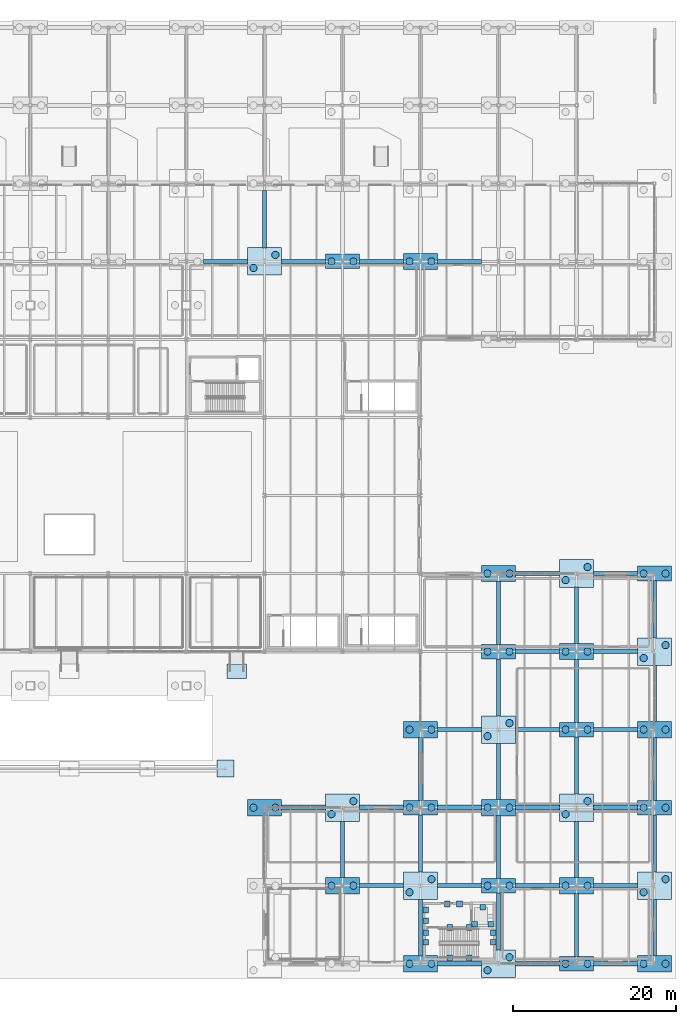
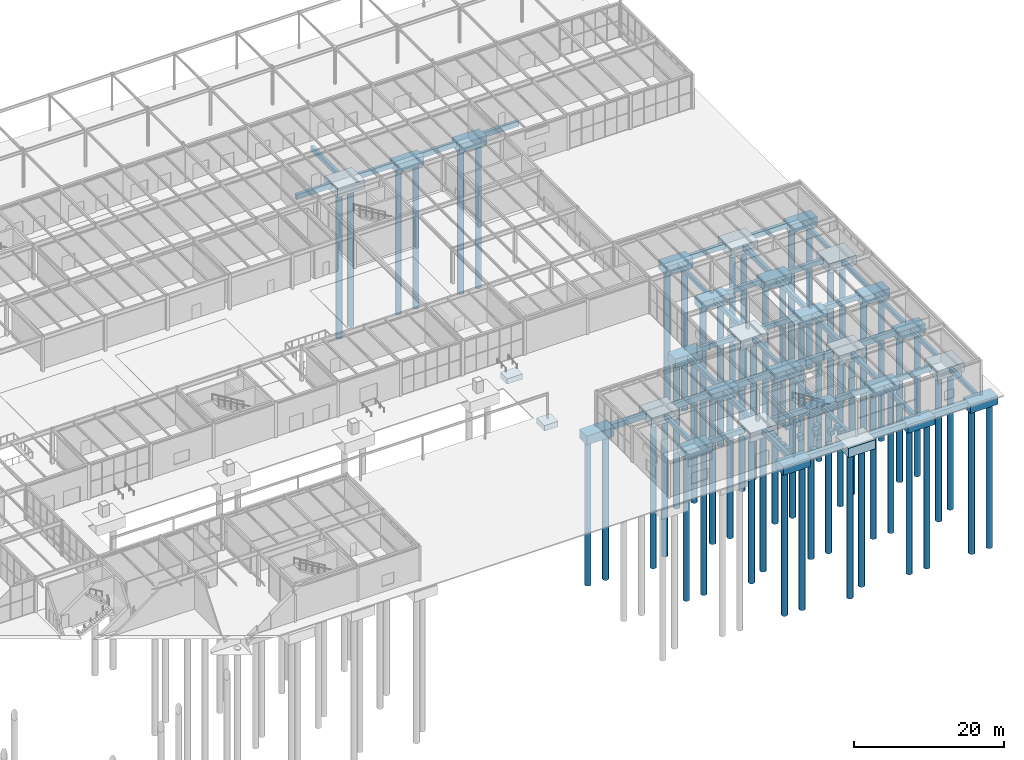
# One storey, part 4 of 142: 88 footings, 56 piles.
"""IFC4 building model written with IfcOpenShell, lengths in metres."""

from ifc_helpers import new_model, si_unit, direction, frame, origin, origin_2d, place, context, subcontext, project, spatial, rectangle, circle, extrude, material, material_profile, profile_set, type_object, element, save


model = new_model("IFC4")

# Units and contexts
model_context = context("Model", 3, precision=1e-05, world=origin(), true_north=direction((0.0, 1.0)))
body_context = subcontext(model_context, "Body", "Model", "MODEL_VIEW")
ifc_project = project(units=[si_unit("LENGTHUNIT", "METRE"), si_unit("AREAUNIT", "SQUARE_METRE"), si_unit("VOLUMEUNIT", "CUBIC_METRE"), si_unit("PLANEANGLEUNIT", "RADIAN"), si_unit("MASSUNIT", "GRAM", prefix="KILO")], contexts=[model_context])

# Site, building, storey
site_placement = place(None, origin())
site = spatial("IfcSite", under=ifc_project, at=site_placement, CompositionType="ELEMENT")
building_placement = place(site_placement, origin())
building = spatial("IfcBuilding", under=site, at=building_placement, Name="Coralgate Yard Interchange", CompositionType="ELEMENT")
storey_placement = place(building_placement, origin())
storey = spatial("IfcBuildingStorey", under=building, at=storey_placement, Name="L00", CompositionType="ELEMENT", Elevation=0.0)

# Footings
ifc_material_1 = material(Name="Concrete C40/50", Category="concrete")
ifc_material_profile_1 = material_profile(ifc_material_1, rectangle(XDim=0.60009765625, YDim=0.89990234375, at=origin_2d()), Name="RC 600x900")
ifc_profile_set_1 = profile_set([ifc_material_profile_1], Name="Concrete C40/50")
footing_type_1 = type_object("IfcFootingType", Name="FTG-GB-1", PredefinedType="FOOTING_BEAM", material=ifc_profile_set_1)
for number, where, z_axis, x_axis, name in (
    (1, (136.47998046875, 19.199951171875, -0.800048828125), (1.0, 0.0, 0.0), (0.0, 1.0, 0.0), "Ground tie-beam X 14-2"),
    (2, (146.080078125, 19.199951171875, -0.800048828125), (1.0, 0.0, 0.0), (0.0, 1.0, 0.0), "Ground tie-beam X 15-2"),
):
    element("IfcFooting", number, at=place(storey_placement, frame(where, z_axis=z_axis, x_axis=x_axis)), inside=storey, type_object=footing_type_1, Name=name, PredefinedType="FOOTING_BEAM", context=body_context, shape_type="SweptSolid", body=[
        extrude(rectangle(XDim=0.60009765625, YDim=0.89990234375, at=origin_2d()), origin(), (0.0, 0.0, 1.0), 5.43994140625),
    ])
for number, where, z_axis, x_axis, name in (
    (3, (155.679931640625, 0.0, -0.800048828125), (1.0, 0.0, 0.0), (0.0, 1.0, 0.0), "Ground tie-beam X 16-0"),
    (4, (155.679931640625, 19.199951171875, -0.800048828125), (1.0, 0.0, 0.0), (0.0, 1.0, 0.0), "Ground tie-beam X 16-2"),
):
    element("IfcFooting", number, at=place(storey_placement, frame(where, z_axis=z_axis, x_axis=x_axis)), inside=storey, type_object=footing_type_1, Name=name, PredefinedType="FOOTING_BEAM", context=body_context, shape_type="SweptSolid", body=[
        extrude(rectangle(XDim=0.60009765625, YDim=0.89990234375, at=origin_2d()), origin(), (0.0, 0.0, 1.0), 5.440185546875),
    ])
for number, where, z_axis, x_axis, name in (
    (5, (165.280029296875, 0.0, -0.800048828125), (1.0, 0.0, 0.0), (0.0, 1.0, 0.0), "Ground tie-beam X 17-0"),
    (6, (165.280029296875, 19.199951171875, -0.800048828125), (1.0, 0.0, 0.0), (0.0, 1.0, 0.0), "Ground tie-beam X 17-2"),
):
    element("IfcFooting", number, at=place(storey_placement, frame(where, z_axis=z_axis, x_axis=x_axis)), inside=storey, type_object=footing_type_1, Name=name, PredefinedType="FOOTING_BEAM", context=body_context, shape_type="SweptSolid", body=[
        extrude(rectangle(XDim=0.60009765625, YDim=0.89990234375, at=origin_2d()), origin(), (0.0, 0.0, 1.0), 5.43994140625),
    ])
for number, where, z_axis, x_axis, name in (
    (7, (174.8798828125, 0.0, -0.800048828125), (1.0, 0.0, 0.0), (0.0, 1.0, 0.0), "Ground tie-beam X 18-0"),
    (8, (174.8798828125, 19.199951171875, -0.800048828125), (1.0, 0.0, 0.0), (0.0, 1.0, 0.0), "Ground tie-beam X 18-2"),
):
    element("IfcFooting", number, at=place(storey_placement, frame(where, z_axis=z_axis, x_axis=x_axis)), inside=storey, type_object=footing_type_1, Name=name, PredefinedType="FOOTING_BEAM", context=body_context, shape_type="SweptSolid", body=[
        extrude(rectangle(XDim=0.60009765625, YDim=0.89990234375, at=origin_2d()), origin(), (0.0, 0.0, 1.0), 5.440185546875),
    ])
ifc_material_profile_2 = material_profile(ifc_material_1, rectangle(XDim=0.5, YDim=0.800048828125, at=origin_2d()), Name="RC 500x800")
ifc_profile_set_2 = profile_set([ifc_material_profile_2], Name="Concrete C40/50")
footing_type_2 = type_object("IfcFootingType", Name="FTG-GB-2", PredefinedType="FOOTING_BEAM", material=ifc_profile_set_2)
footing_1_placement = place(storey_placement, frame((126.8798828125, 86.39990234375, -0.75), z_axis=(1.0, 0.0, 0.0), x_axis=(0.0, 1.0, 0.0)))
element("IfcFooting", 9, at=footing_1_placement, inside=storey, type_object=footing_type_2, Name="Ground tie-beam X 13-9", PredefinedType="FOOTING_BEAM", context=body_context, shape_type="SweptSolid", body=[
    extrude(rectangle(XDim=0.5, YDim=0.800048828125, at=origin_2d()), origin(), (0.0, 0.0, 1.0), 5.440185546875),
])
footing_2_placement = place(storey_placement, frame((136.47998046875, 86.39990234375, -0.75), z_axis=(1.0, 0.0, 0.0), x_axis=(0.0, 1.0, 0.0)))
element("IfcFooting", 10, at=footing_2_placement, inside=storey, type_object=footing_type_2, Name="Ground tie-beam X 14-9", PredefinedType="FOOTING_BEAM", context=body_context, shape_type="SweptSolid", body=[
    extrude(rectangle(XDim=0.5, YDim=0.800048828125, at=origin_2d()), origin(), (0.0, 0.0, 1.0), 5.43994140625),
])
footing_3_placement = place(storey_placement, frame((134.39990234375, 88.080078125, -0.75), z_axis=(0.0, 1.0, 0.0), x_axis=(-1.0, 0.0, 0.0)))
element("IfcFooting", 11, at=footing_3_placement, inside=storey, type_object=footing_type_2, Name="Ground tie-beam Y 14-9", PredefinedType="FOOTING_BEAM", context=body_context, shape_type="SweptSolid", body=[
    extrude(rectangle(XDim=0.5, YDim=0.800048828125, at=origin_2d()), origin(), (0.0, 0.0, 1.0), 7.0400390625),
])
for number, where, z_axis, x_axis, name in (
    (12, (146.080078125, 9.60009765625, -0.75), (1.0, 0.0, 0.0), (0.0, 1.0, 0.0), "Ground tie-beam X 15-1"),
    (13, (146.080078125, 86.39990234375, -0.75), (1.0, 0.0, 0.0), (0.0, 1.0, 0.0), "Ground tie-beam X 15-9"),
):
    element("IfcFooting", number, at=place(storey_placement, frame(where, z_axis=z_axis, x_axis=x_axis)), inside=storey, type_object=footing_type_2, Name=name, PredefinedType="FOOTING_BEAM", context=body_context, shape_type="SweptSolid", body=[
        extrude(rectangle(XDim=0.5, YDim=0.800048828125, at=origin_2d()), origin(), (0.0, 0.0, 1.0), 5.43994140625),
    ])
footing_4_placement = place(storey_placement, frame((153.60009765625, 0.97998046875, -0.75), z_axis=(0.0, 1.0, 0.0), x_axis=(-1.0, 0.0, 0.0)))
element("IfcFooting", 14, at=footing_4_placement, inside=storey, type_object=footing_type_2, Name="Ground tie-beam Y 16-0", PredefinedType="FOOTING_BEAM", context=body_context, shape_type="SweptSolid", body=[
    extrude(rectangle(XDim=0.5, YDim=0.800048828125, at=origin_2d()), origin(), (0.0, 0.0, 1.0), 6.93994140625),
])
footing_5_placement = place(storey_placement, frame((155.679931640625, 9.60009765625, -0.75), z_axis=(1.0, 0.0, 0.0), x_axis=(0.0, 1.0, 0.0)))
element("IfcFooting", 15, at=footing_5_placement, inside=storey, type_object=footing_type_2, Name="Ground tie-beam X 16-1", PredefinedType="FOOTING_BEAM", context=body_context, shape_type="SweptSolid", body=[
    extrude(rectangle(XDim=0.5, YDim=0.800048828125, at=origin_2d()), origin(), (0.0, 0.0, 1.0), 5.440185546875),
])
footing_6_placement = place(storey_placement, frame((153.60009765625, 11.280029296875, -0.75), z_axis=(0.0, 1.0, 0.0), x_axis=(-1.0, 0.0, 0.0)))
element("IfcFooting", 16, at=footing_6_placement, inside=storey, type_object=footing_type_2, Name="Ground tie-beam Y 16-1", PredefinedType="FOOTING_BEAM", context=body_context, shape_type="SweptSolid", body=[
    extrude(rectangle(XDim=0.5, YDim=0.800048828125, at=origin_2d()), origin(), (0.0, 0.0, 1.0), 7.0400390625),
])
footing_7_placement = place(storey_placement, frame((153.60009765625, 20.080078125, -0.75), z_axis=(0.0, 1.0, 0.0), x_axis=(-1.0, 0.0, 0.0)))
element("IfcFooting", 17, at=footing_7_placement, inside=storey, type_object=footing_type_2, Name="Ground tie-beam Y 16-2", PredefinedType="FOOTING_BEAM", context=body_context, shape_type="SweptSolid", body=[
    extrude(rectangle(XDim=0.5, YDim=0.800048828125, at=origin_2d()), origin(), (0.0, 0.0, 1.0), 7.739990234375),
])
for number, where, z_axis, x_axis, name in (
    (18, (155.679931640625, 28.800048828125, -0.75), (1.0, 0.0, 0.0), (0.0, 1.0, 0.0), "Ground tie-beam X 16-3"),
    (19, (155.679931640625, 86.39990234375, -0.75), (1.0, 0.0, 0.0), (0.0, 1.0, 0.0), "Ground tie-beam X 16-9"),
):
    element("IfcFooting", number, at=place(storey_placement, frame(where, z_axis=z_axis, x_axis=x_axis)), inside=storey, type_object=footing_type_2, Name=name, PredefinedType="FOOTING_BEAM", context=body_context, shape_type="SweptSolid", body=[
        extrude(rectangle(XDim=0.5, YDim=0.800048828125, at=origin_2d()), origin(), (0.0, 0.0, 1.0), 5.440185546875),
    ])
for number, where, z_axis, x_axis, name in (
    (20, (165.280029296875, 9.60009765625, -0.75), (1.0, 0.0, 0.0), (0.0, 1.0, 0.0), "Ground tie-beam X 17-1"),
    (21, (165.280029296875, 28.800048828125, -0.75), (1.0, 0.0, 0.0), (0.0, 1.0, 0.0), "Ground tie-beam X 17-3"),
    (22, (165.280029296875, 38.39990234375, -0.75), (1.0, 0.0, 0.0), (0.0, 1.0, 0.0), "Ground tie-beam X 17-4"),
    (23, (165.280029296875, 48.0, -0.75), (1.0, 0.0, 0.0), (0.0, 1.0, 0.0), "Ground tie-beam X 17-5"),
):
    element("IfcFooting", number, at=place(storey_placement, frame(where, z_axis=z_axis, x_axis=x_axis)), inside=storey, type_object=footing_type_2, Name=name, PredefinedType="FOOTING_BEAM", context=body_context, shape_type="SweptSolid", body=[
        extrude(rectangle(XDim=0.5, YDim=0.800048828125, at=origin_2d()), origin(), (0.0, 0.0, 1.0), 5.43994140625),
    ])
footing_8_placement = place(storey_placement, frame((172.800048828125, 0.8798828125, -0.75), z_axis=(0.0, 1.0, 0.0), x_axis=(-1.0, 0.0, 0.0)))
element("IfcFooting", 24, at=footing_8_placement, inside=storey, type_object=footing_type_2, Name="Ground tie-beam Y 18-0", PredefinedType="FOOTING_BEAM", context=body_context, shape_type="SweptSolid", body=[
    extrude(rectangle(XDim=0.5, YDim=0.800048828125, at=origin_2d()), origin(), (0.0, 0.0, 1.0), 7.740234375),
])
footing_9_placement = place(storey_placement, frame((174.8798828125, 9.60009765625, -0.75), z_axis=(1.0, 0.0, 0.0), x_axis=(0.0, 1.0, 0.0)))
element("IfcFooting", 25, at=footing_9_placement, inside=storey, type_object=footing_type_2, Name="Ground tie-beam X 18-1", PredefinedType="FOOTING_BEAM", context=body_context, shape_type="SweptSolid", body=[
    extrude(rectangle(XDim=0.5, YDim=0.800048828125, at=origin_2d()), origin(), (0.0, 0.0, 1.0), 5.440185546875),
])
footing_10_placement = place(storey_placement, frame((172.800048828125, 10.580078125, -0.75), z_axis=(0.0, 1.0, 0.0), x_axis=(-1.0, 0.0, 0.0)))
element("IfcFooting", 26, at=footing_10_placement, inside=storey, type_object=footing_type_2, Name="Ground tie-beam Y 18-1", PredefinedType="FOOTING_BEAM", context=body_context, shape_type="SweptSolid", body=[
    extrude(rectangle(XDim=0.5, YDim=0.800048828125, at=origin_2d()), origin(), (0.0, 0.0, 1.0), 6.93994140625),
])
footing_11_placement = place(storey_placement, frame((172.800048828125, 20.8798828125, -0.75), z_axis=(0.0, 1.0, 0.0), x_axis=(-1.0, 0.0, 0.0)))
element("IfcFooting", 27, at=footing_11_placement, inside=storey, type_object=footing_type_2, Name="Ground tie-beam Y 18-2", PredefinedType="FOOTING_BEAM", context=body_context, shape_type="SweptSolid", body=[
    extrude(rectangle(XDim=0.5, YDim=0.800048828125, at=origin_2d()), origin(), (0.0, 0.0, 1.0), 7.0400390625),
])
footing_12_placement = place(storey_placement, frame((174.8798828125, 28.800048828125, -0.75), z_axis=(1.0, 0.0, 0.0), x_axis=(0.0, 1.0, 0.0)))
element("IfcFooting", 28, at=footing_12_placement, inside=storey, type_object=footing_type_2, Name="Ground tie-beam X 18-3", PredefinedType="FOOTING_BEAM", context=body_context, shape_type="SweptSolid", body=[
    extrude(rectangle(XDim=0.5, YDim=0.800048828125, at=origin_2d()), origin(), (0.0, 0.0, 1.0), 5.440185546875),
])
footing_13_placement = place(storey_placement, frame((172.800048828125, 29.679931640625, -0.75), z_axis=(0.0, 1.0, 0.0), x_axis=(-1.0, 0.0, 0.0)))
element("IfcFooting", 29, at=footing_13_placement, inside=storey, type_object=footing_type_2, Name="Ground tie-beam Y 18-3", PredefinedType="FOOTING_BEAM", context=body_context, shape_type="SweptSolid", body=[
    extrude(rectangle(XDim=0.5, YDim=0.800048828125, at=origin_2d()), origin(), (0.0, 0.0, 1.0), 7.739990234375),
])
footing_14_placement = place(storey_placement, frame((174.8798828125, 38.39990234375, -0.75), z_axis=(1.0, 0.0, 0.0), x_axis=(0.0, 1.0, 0.0)))
element("IfcFooting", 30, at=footing_14_placement, inside=storey, type_object=footing_type_2, Name="Ground tie-beam X 18-4", PredefinedType="FOOTING_BEAM", context=body_context, shape_type="SweptSolid", body=[
    extrude(rectangle(XDim=0.5, YDim=0.800048828125, at=origin_2d()), origin(), (0.0, 0.0, 1.0), 5.440185546875),
])
footing_15_placement = place(storey_placement, frame((172.800048828125, 39.3798828125, -0.75), z_axis=(0.0, 1.0, 0.0), x_axis=(-1.0, 0.0, 0.0)))
element("IfcFooting", 31, at=footing_15_placement, inside=storey, type_object=footing_type_2, Name="Ground tie-beam Y 18-4", PredefinedType="FOOTING_BEAM", context=body_context, shape_type="SweptSolid", body=[
    extrude(rectangle(XDim=0.5, YDim=0.800048828125, at=origin_2d()), origin(), (0.0, 0.0, 1.0), 6.940185546875),
])
footing_16_placement = place(storey_placement, frame((174.8798828125, 48.0, -0.75), z_axis=(1.0, 0.0, 0.0), x_axis=(0.0, 1.0, 0.0)))
element("IfcFooting", 32, at=footing_16_placement, inside=storey, type_object=footing_type_2, Name="Ground tie-beam X 18-5", PredefinedType="FOOTING_BEAM", context=body_context, shape_type="SweptSolid", body=[
    extrude(rectangle(XDim=0.5, YDim=0.800048828125, at=origin_2d()), origin(), (0.0, 0.0, 1.0), 5.440185546875),
])
ifc_material_profile_3 = material_profile(ifc_material_1, rectangle(XDim=0.449951171875, YDim=0.699951171875, at=origin_2d()), Name="RC 450x700")
ifc_profile_set_3 = profile_set([ifc_material_profile_3], Name="Concrete C40/50")
footing_type_3 = type_object("IfcFootingType", Name="FTG-GB-3", PredefinedType="FOOTING_BEAM", material=ifc_profile_set_3)
footing_17_placement = place(storey_placement, frame((144.0, 10.580078125, -0.699951171875), z_axis=(0.0, 1.0, 0.0), x_axis=(-1.0, 0.0, 0.0)))
element("IfcFooting", 33, at=footing_17_placement, inside=storey, type_object=footing_type_3, Name="Ground tie-beam Y 15-1", PredefinedType="FOOTING_BEAM", context=body_context, shape_type="SweptSolid", body=[
    extrude(rectangle(XDim=0.449951171875, YDim=0.699951171875, at=origin_2d()), origin(), (0.0, 0.0, 1.0), 6.93994140625),
])
footing_18_placement = place(storey_placement, frame((163.199951171875, 1.679931640625, -0.699951171875), z_axis=(0.0, 1.0, 0.0), x_axis=(-1.0, 0.0, 0.0)))
element("IfcFooting", 34, at=footing_18_placement, inside=storey, type_object=footing_type_3, Name="Ground tie-beam Y 17-0", PredefinedType="FOOTING_BEAM", context=body_context, shape_type="SweptSolid", body=[
    extrude(rectangle(XDim=0.449951171875, YDim=0.699951171875, at=origin_2d()), origin(), (0.0, 0.0, 1.0), 7.0400390625),
])
footing_19_placement = place(storey_placement, frame((163.199951171875, 10.47998046875, -0.699951171875), z_axis=(0.0, 1.0, 0.0), x_axis=(-1.0, 0.0, 0.0)))
element("IfcFooting", 35, at=footing_19_placement, inside=storey, type_object=footing_type_3, Name="Ground tie-beam Y 17-1", PredefinedType="FOOTING_BEAM", context=body_context, shape_type="SweptSolid", body=[
    extrude(rectangle(XDim=0.449951171875, YDim=0.699951171875, at=origin_2d()), origin(), (0.0, 0.0, 1.0), 7.739990234375),
])
footing_20_placement = place(storey_placement, frame((163.199951171875, 20.179931640625, -0.699951171875), z_axis=(0.0, 1.0, 0.0), x_axis=(-1.0, 0.0, 0.0)))
element("IfcFooting", 36, at=footing_20_placement, inside=storey, type_object=footing_type_3, Name="Ground tie-beam Y 17-2", PredefinedType="FOOTING_BEAM", context=body_context, shape_type="SweptSolid", body=[
    extrude(rectangle(XDim=0.449951171875, YDim=0.699951171875, at=origin_2d()), origin(), (0.0, 0.0, 1.0), 6.940185546875),
])
footing_21_placement = place(storey_placement, frame((163.199951171875, 30.47998046875, -0.699951171875), z_axis=(0.0, 1.0, 0.0), x_axis=(-1.0, 0.0, 0.0)))
element("IfcFooting", 37, at=footing_21_placement, inside=storey, type_object=footing_type_3, Name="Ground tie-beam Y 17-3", PredefinedType="FOOTING_BEAM", context=body_context, shape_type="SweptSolid", body=[
    extrude(rectangle(XDim=0.449951171875, YDim=0.699951171875, at=origin_2d()), origin(), (0.0, 0.0, 1.0), 7.0400390625),
])
footing_22_placement = place(storey_placement, frame((163.199951171875, 39.280029296875, -0.699951171875), z_axis=(0.0, 1.0, 0.0), x_axis=(-1.0, 0.0, 0.0)))
element("IfcFooting", 38, at=footing_22_placement, inside=storey, type_object=footing_type_3, Name="Ground tie-beam Y 17-4", PredefinedType="FOOTING_BEAM", context=body_context, shape_type="SweptSolid", body=[
    extrude(rectangle(XDim=0.449951171875, YDim=0.699951171875, at=origin_2d()), origin(), (0.0, 0.0, 1.0), 7.739990234375),
])
footing_23_placement = place(storey_placement, frame((182.39990234375, 0.97998046875, -0.699951171875), z_axis=(0.0, 1.0, 0.0), x_axis=(-1.0, 0.0, 0.0)))
element("IfcFooting", 39, at=footing_23_placement, inside=storey, type_object=footing_type_3, Name="Ground tie-beam Y 19-0", PredefinedType="FOOTING_BEAM", context=body_context, shape_type="SweptSolid", body=[
    extrude(rectangle(XDim=0.449951171875, YDim=0.699951171875, at=origin_2d()), origin(), (0.0, 0.0, 1.0), 6.93994140625),
])
footing_24_placement = place(storey_placement, frame((182.39990234375, 11.280029296875, -0.699951171875), z_axis=(0.0, 1.0, 0.0), x_axis=(-1.0, 0.0, 0.0)))
element("IfcFooting", 40, at=footing_24_placement, inside=storey, type_object=footing_type_3, Name="Ground tie-beam Y 19-1", PredefinedType="FOOTING_BEAM", context=body_context, shape_type="SweptSolid", body=[
    extrude(rectangle(XDim=0.449951171875, YDim=0.699951171875, at=origin_2d()), origin(), (0.0, 0.0, 1.0), 7.0400390625),
])
footing_25_placement = place(storey_placement, frame((182.39990234375, 20.080078125, -0.699951171875), z_axis=(0.0, 1.0, 0.0), x_axis=(-1.0, 0.0, 0.0)))
element("IfcFooting", 41, at=footing_25_placement, inside=storey, type_object=footing_type_3, Name="Ground tie-beam Y 19-2", PredefinedType="FOOTING_BEAM", context=body_context, shape_type="SweptSolid", body=[
    extrude(rectangle(XDim=0.449951171875, YDim=0.699951171875, at=origin_2d()), origin(), (0.0, 0.0, 1.0), 7.739990234375),
])
footing_26_placement = place(storey_placement, frame((182.39990234375, 29.780029296875, -0.699951171875), z_axis=(0.0, 1.0, 0.0), x_axis=(-1.0, 0.0, 0.0)))
element("IfcFooting", 42, at=footing_26_placement, inside=storey, type_object=footing_type_3, Name="Ground tie-beam Y 19-3", PredefinedType="FOOTING_BEAM", context=body_context, shape_type="SweptSolid", body=[
    extrude(rectangle(XDim=0.449951171875, YDim=0.699951171875, at=origin_2d()), origin(), (0.0, 0.0, 1.0), 6.93994140625),
])
footing_27_placement = place(storey_placement, frame((182.39990234375, 40.080078125, -0.699951171875), z_axis=(0.0, 1.0, 0.0), x_axis=(-1.0, 0.0, 0.0)))
element("IfcFooting", 43, at=footing_27_placement, inside=storey, type_object=footing_type_3, Name="Ground tie-beam Y 19-4", PredefinedType="FOOTING_BEAM", context=body_context, shape_type="SweptSolid", body=[
    extrude(rectangle(XDim=0.449951171875, YDim=0.699951171875, at=origin_2d()), origin(), (0.0, 0.0, 1.0), 7.0400390625),
])
footing_type_4 = type_object("IfcFootingType", Name="FTG-PC-2A", PredefinedType="PILE_CAP", material=ifc_material_1)
for number, where, z_axis, x_axis, name in (
    (44, (144.0, 86.39990234375, -1.75), (0.0, 0.0, 1.0), (1.0, 0.0, 0.0), "Pile cap 15-9"),
    (45, (153.60009765625, 19.199951171875, -1.75), (0.0, 0.0, 1.0), (1.0, 0.0, 0.0), "Pile cap 16-2"),
    (46, (163.199951171875, 9.60009765625, -1.75), (0.0, 0.0, 1.0), (1.0, 0.0, 0.0), "Pile cap 17-1"),
    (47, (163.199951171875, 38.39990234375, -1.75), (0.0, 0.0, 1.0), (1.0, 0.0, 0.0), "Pile cap 17-4"),
    (48, (172.800048828125, 0.0, -1.75), (0.0, 0.0, 1.0), (1.0, 0.0, 0.0), "Pile cap 18-0"),
    (49, (172.800048828125, 28.800048828125, -1.75), (0.0, 0.0, 1.0), (1.0, 0.0, 0.0), "Pile cap 18-3"),
    (50, (182.39990234375, 19.199951171875, -1.75), (0.0, 0.0, 1.0), (1.0, 0.0, 0.0), "Pile cap 19-2"),
    (51, (182.39990234375, 48.0, -1.75), (0.0, 0.0, 1.0), (1.0, 0.0, 0.0), "Pile cap 19-5"),
):
    element("IfcFooting", number, at=place(storey_placement, frame(where, z_axis=z_axis, x_axis=x_axis)), inside=storey, type_object=footing_type_4, Name=name, PredefinedType="PILE_CAP", context=body_context, shape_type="SweptSolid", body=[
        extrude(rectangle(XDim=4.199951171875, YDim=1.800048828125, at=origin_2d()), origin(), (0.0, 0.0, 1.0), 1.39990234375),
    ])
footing_type_5 = type_object("IfcFootingType", Name="FTG-PC-2B", PredefinedType="PILE_CAP", material=ifc_material_1)
for number, where, z_axis, x_axis, name in (
    (52, (134.39990234375, 19.199951171875, -1.7998046875), (0.0, 0.0, 1.0), (1.0, 0.0, 0.0), "Pile cap 14-2"),
    (53, (144.0, 9.60009765625, -1.7998046875), (0.0, 0.0, 1.0), (1.0, 0.0, 0.0), "Pile cap 15-1"),
    (54, (153.60009765625, 0.0, -1.7998046875), (0.0, 0.0, 1.0), (1.0, 0.0, 0.0), "Pile cap 16-0"),
    (55, (153.60009765625, 28.800048828125, -1.7998046875), (0.0, 0.0, 1.0), (1.0, 0.0, 0.0), "Pile cap 16-3"),
    (56, (153.60009765625, 86.39990234375, -1.7998046875), (0.0, 0.0, 1.0), (1.0, 0.0, 0.0), "Pile cap 16-9"),
    (57, (163.199951171875, 19.199951171875, -1.7998046875), (0.0, 0.0, 1.0), (1.0, 0.0, 0.0), "Pile cap 17-2"),
    (58, (163.199951171875, 48.0, -1.7998046875), (0.0, 0.0, 1.0), (1.0, 0.0, 0.0), "Pile cap 17-5"),
    (59, (172.800048828125, 9.60009765625, -1.7998046875), (0.0, 0.0, 1.0), (1.0, 0.0, 0.0), "Pile cap 18-1"),
    (60, (172.800048828125, 38.39990234375, -1.7998046875), (0.0, 0.0, 1.0), (1.0, 0.0, 0.0), "Pile cap 18-4"),
    (61, (182.39990234375, 0.0, -1.7998046875), (0.0, 0.0, 1.0), (1.0, 0.0, 0.0), "Pile cap 19-0"),
    (62, (182.39990234375, 28.800048828125, -1.7998046875), (0.0, 0.0, 1.0), (1.0, 0.0, 0.0), "Pile cap 19-3"),
):
    element("IfcFooting", number, at=place(storey_placement, frame(where, z_axis=z_axis, x_axis=x_axis)), inside=storey, type_object=footing_type_5, Name=name, PredefinedType="PILE_CAP", context=body_context, shape_type="SweptSolid", body=[
        extrude(rectangle(XDim=4.199951171875, YDim=2.0, at=origin_2d()), origin(), (0.0, 0.0, 1.0), 1.449951171875),
    ])
footing_type_6 = type_object("IfcFootingType", Name="FTG-PC-3A", PredefinedType="PILE_CAP", material=ifc_material_1)
for number, where, z_axis, x_axis, name in (
    (63, (134.39990234375, 86.39990234375, -1.85009765625), (0.0, 0.0, 1.0), (1.0, 0.0, 0.0), "Pile cap 14-9"),
    (64, (144.0, 19.199951171875, -1.85009765625), (0.0, 0.0, 1.0), (1.0, 0.0, 0.0), "Pile cap 15-2"),
    (65, (153.60009765625, 9.60009765625, -1.85009765625), (0.0, 0.0, 1.0), (1.0, 0.0, 0.0), "Pile cap 16-1"),
    (66, (163.199951171875, 0.0, -1.85009765625), (0.0, 0.0, 1.0), (1.0, 0.0, 0.0), "Pile cap 17-0"),
    (67, (163.199951171875, 28.800048828125, -1.85009765625), (0.0, 0.0, 1.0), (1.0, 0.0, 0.0), "Pile cap 17-3"),
    (68, (172.800048828125, 19.199951171875, -1.85009765625), (0.0, 0.0, 1.0), (1.0, 0.0, 0.0), "Pile cap 18-2"),
    (69, (172.800048828125, 48.0, -1.85009765625), (0.0, 0.0, 1.0), (1.0, 0.0, 0.0), "Pile cap 18-5"),
    (70, (182.39990234375, 9.60009765625, -1.85009765625), (0.0, 0.0, 1.0), (1.0, 0.0, 0.0), "Pile cap 19-1"),
    (71, (182.39990234375, 38.39990234375, -1.85009765625), (0.0, 0.0, 1.0), (1.0, 0.0, 0.0), "Pile cap 19-4"),
):
    element("IfcFooting", number, at=place(storey_placement, frame(where, z_axis=z_axis, x_axis=x_axis)), inside=storey, type_object=footing_type_6, Name=name, PredefinedType="PILE_CAP", context=body_context, shape_type="SweptSolid", body=[
        extrude(rectangle(XDim=4.199951171875, YDim=3.39990234375, at=origin_2d()), origin(), (0.0, 0.0, 1.0), 1.5),
    ])
footing_type_7 = type_object("IfcFootingType", Name="FTG-PF-2", PredefinedType="PAD_FOOTING", material=ifc_material_1)
footing_28_placement = place(storey_placement, frame((129.60009765625, 24.0, -1.079833984375), z_axis=(0.0, 0.0, 1.0), x_axis=(1.0, 0.0, 0.0)))
element("IfcFooting", 72, at=footing_28_placement, inside=storey, type_object=footing_type_7, Name="Courtyard colonnade pad footing 8", PredefinedType="PAD_FOOTING", context=body_context, shape_type="SweptSolid", body=[
    extrude(rectangle(XDim=2.10009765625, YDim=2.10009765625, at=origin_2d()), origin(), (0.0, 0.0, 1.0), 0.89990234375),
])
footing_type_8 = type_object("IfcFootingType", Name="FTG-PF-3", PredefinedType="PAD_FOOTING", material=ifc_material_1)
footing_29_placement = place(storey_placement, frame((131.0, 36.0, -1.239990234375), z_axis=(0.0, 0.0, 1.0), x_axis=(1.0, 0.0, 0.0)))
element("IfcFooting", 73, at=footing_29_placement, inside=storey, type_object=footing_type_8, Name="South courtyard east accessible ramp toe pad footing", PredefinedType="PAD_FOOTING", context=body_context, shape_type="SweptSolid", body=[
    extrude(rectangle(XDim=2.39990234375, YDim=1.800048828125, at=origin_2d()), origin(), (0.0, 0.0, 1.0), 0.85009765625),
])
footing_type_9 = type_object("IfcFootingType", Name="FTG-PF-4", PredefinedType="PAD_FOOTING", material=ifc_material_1)
for number, where, z_axis, x_axis, name in (
    (74, (157.199951171875, 0.699951171875, -1.110107421875), (0.0, 0.0, 1.0), (1.0, 0.0, 0.0), "Core C8 shear-wall pad footing STS1"),
    (75, (159.60009765625, 0.699951171875, -1.110107421875), (0.0, 0.0, 1.0), (1.0, 0.0, 0.0), "Core C8 shear-wall pad footing STS2"),
    (76, (157.199951171875, 4.449951171875, -1.110107421875), (0.0, 0.0, 1.0), (1.0, 0.0, 0.0), "Core C8 shear-wall pad footing STN1"),
    (77, (159.60009765625, 4.449951171875, -1.110107421875), (0.0, 0.0, 1.0), (1.0, 0.0, 0.0), "Core C8 shear-wall pad footing STN2"),
    (78, (154.25, 2.64990234375, -1.110107421875), (0.0, 0.0, 1.0), (1.0, 0.0, 0.0), "Core C8 shear-wall pad footing STW1"),
    (79, (154.25, 3.800048828125, -1.110107421875), (0.0, 0.0, 1.0), (1.0, 0.0, 0.0), "Core C8 shear-wall pad footing STW2"),
    (80, (162.550048828125, 2.64990234375, -1.110107421875), (0.0, 0.0, 1.0), (1.0, 0.0, 0.0), "Core C8 shear-wall pad footing STE1"),
    (81, (162.550048828125, 3.800048828125, -1.110107421875), (0.0, 0.0, 1.0), (1.0, 0.0, 0.0), "Core C8 shear-wall pad footing STE2"),
    (82, (156.89990234375, 7.35009765625, -1.110107421875), (0.0, 0.0, 1.0), (1.0, 0.0, 0.0), "Core C8 shear-wall pad footing LBN1"),
    (83, (158.39990234375, 7.35009765625, -1.110107421875), (0.0, 0.0, 1.0), (1.0, 0.0, 0.0), "Core C8 shear-wall pad footing LBN2"),
    (84, (154.25, 5.300048828125, -1.110107421875), (0.0, 0.0, 1.0), (1.0, 0.0, 0.0), "Core C8 shear-wall pad footing LBW1"),
    (85, (154.25, 6.60009765625, -1.110107421875), (0.0, 0.0, 1.0), (1.0, 0.0, 0.0), "Core C8 shear-wall pad footing LBW2"),
    (86, (160.25, 4.85009765625, -2.3701171875), (0.0, 0.0, 1.0), (1.0, 0.0, 0.0), "LF-06 lift pit pad footing SW"),
    (87, (162.25, 4.85009765625, -2.3701171875), (0.0, 0.0, 1.0), (1.0, 0.0, 0.0), "LF-06 lift pit pad footing SE"),
    (88, (161.25, 6.949951171875, -2.3701171875), (0.0, 0.0, 1.0), (1.0, 0.0, 0.0), "LF-06 lift pit pad footing N"),
):
    element("IfcFooting", number, at=place(storey_placement, frame(where, z_axis=z_axis, x_axis=x_axis)), inside=storey, type_object=footing_type_9, Name=name, PredefinedType="PAD_FOOTING", context=body_context, shape_type="SweptSolid", body=[
        extrude(rectangle(XDim=0.699951171875, YDim=0.699951171875, at=origin_2d()), origin(), (0.0, 0.0, 1.0), 0.75),
    ])

# Piles
ifc_material_2 = material(Name="Concrete C35/45", Category="concrete")
ifc_material_profile_4 = material_profile(ifc_material_2, circle(Radius=0.449951171875, at=origin_2d()), Name="BORED PILE D900")
ifc_profile_set_4 = profile_set([ifc_material_profile_4], Name="Concrete C35/45")
pile_type = type_object("IfcPileType", Name="PILE-P-900", PredefinedType="BORED", material=ifc_profile_set_4)
for number, where, z_axis, x_axis, name in (
    (89, (133.050048828125, 19.199951171875, -1.699951171875), (0.0, 0.0, -1.0), (1.0, 0.0, 0.0), "Bored pile 14-2-1"),
    (90, (135.75, 19.199951171875, -1.699951171875), (0.0, 0.0, -1.0), (1.0, 0.0, 0.0), "Bored pile 14-2-2"),
    (91, (133.050048828125, 85.60009765625, -1.75), (0.0, 0.0, -1.0), (1.0, 0.0, 0.0), "Bored pile 14-9-1"),
    (92, (135.75, 87.199951171875, -1.75), (0.0, 0.0, -1.0), (1.0, 0.0, 0.0), "Bored pile 14-9-2"),
    (93, (142.64990234375, 9.60009765625, -1.699951171875), (0.0, 0.0, -1.0), (1.0, 0.0, 0.0), "Bored pile 15-1-1"),
    (94, (145.35009765625, 9.60009765625, -1.699951171875), (0.0, 0.0, -1.0), (1.0, 0.0, 0.0), "Bored pile 15-1-2"),
    (95, (142.64990234375, 18.39990234375, -1.75), (0.0, 0.0, -1.0), (1.0, 0.0, 0.0), "Bored pile 15-2-1"),
    (96, (145.35009765625, 20.0, -1.75), (0.0, 0.0, -1.0), (1.0, 0.0, 0.0), "Bored pile 15-2-2"),
    (97, (142.64990234375, 86.39990234375, -1.64990234375), (0.0, 0.0, -1.0), (1.0, 0.0, 0.0), "Bored pile 15-9-1"),
    (98, (145.35009765625, 86.39990234375, -1.64990234375), (0.0, 0.0, -1.0), (1.0, 0.0, 0.0), "Bored pile 15-9-2"),
    (99, (152.25, 0.0, -1.699951171875), (0.0, 0.0, -1.0), (1.0, 0.0, 0.0), "Bored pile 16-0-1"),
    (100, (154.949951171875, 0.0, -1.699951171875), (0.0, 0.0, -1.0), (1.0, 0.0, 0.0), "Bored pile 16-0-2"),
    (101, (152.25, 8.800048828125, -1.75), (0.0, 0.0, -1.0), (1.0, 0.0, 0.0), "Bored pile 16-1-1"),
    (102, (154.949951171875, 10.39990234375, -1.75), (0.0, 0.0, -1.0), (1.0, 0.0, 0.0), "Bored pile 16-1-2"),
    (103, (152.25, 19.199951171875, -1.64990234375), (0.0, 0.0, -1.0), (1.0, 0.0, 0.0), "Bored pile 16-2-1"),
    (104, (154.949951171875, 19.199951171875, -1.64990234375), (0.0, 0.0, -1.0), (1.0, 0.0, 0.0), "Bored pile 16-2-2"),
    (105, (152.25, 28.800048828125, -1.699951171875), (0.0, 0.0, -1.0), (1.0, 0.0, 0.0), "Bored pile 16-3-1"),
    (106, (154.949951171875, 28.800048828125, -1.699951171875), (0.0, 0.0, -1.0), (1.0, 0.0, 0.0), "Bored pile 16-3-2"),
    (107, (152.25, 86.39990234375, -1.699951171875), (0.0, 0.0, -1.0), (1.0, 0.0, 0.0), "Bored pile 16-9-1"),
    (108, (154.949951171875, 86.39990234375, -1.699951171875), (0.0, 0.0, -1.0), (1.0, 0.0, 0.0), "Bored pile 16-9-2"),
    (109, (161.85009765625, -0.800048828125, -1.75), (0.0, 0.0, -1.0), (1.0, 0.0, 0.0), "Bored pile 17-0-1"),
    (110, (164.550048828125, 0.800048828125, -1.75), (0.0, 0.0, -1.0), (1.0, 0.0, 0.0), "Bored pile 17-0-2"),
    (111, (161.85009765625, 9.60009765625, -1.64990234375), (0.0, 0.0, -1.0), (1.0, 0.0, 0.0), "Bored pile 17-1-1"),
    (112, (164.550048828125, 9.60009765625, -1.64990234375), (0.0, 0.0, -1.0), (1.0, 0.0, 0.0), "Bored pile 17-1-2"),
    (113, (161.85009765625, 19.199951171875, -1.699951171875), (0.0, 0.0, -1.0), (1.0, 0.0, 0.0), "Bored pile 17-2-1"),
    (114, (164.550048828125, 19.199951171875, -1.699951171875), (0.0, 0.0, -1.0), (1.0, 0.0, 0.0), "Bored pile 17-2-2"),
    (115, (161.85009765625, 28.0, -1.75), (0.0, 0.0, -1.0), (1.0, 0.0, 0.0), "Bored pile 17-3-1"),
    (116, (164.550048828125, 29.60009765625, -1.75), (0.0, 0.0, -1.0), (1.0, 0.0, 0.0), "Bored pile 17-3-2"),
    (117, (161.85009765625, 38.39990234375, -1.64990234375), (0.0, 0.0, -1.0), (1.0, 0.0, 0.0), "Bored pile 17-4-1"),
    (118, (164.550048828125, 38.39990234375, -1.64990234375), (0.0, 0.0, -1.0), (1.0, 0.0, 0.0), "Bored pile 17-4-2"),
    (119, (161.85009765625, 48.0, -1.699951171875), (0.0, 0.0, -1.0), (1.0, 0.0, 0.0), "Bored pile 17-5-1"),
    (120, (164.550048828125, 48.0, -1.699951171875), (0.0, 0.0, -1.0), (1.0, 0.0, 0.0), "Bored pile 17-5-2"),
    (121, (171.449951171875, 0.0, -1.64990234375), (0.0, 0.0, -1.0), (1.0, 0.0, 0.0), "Bored pile 18-0-1"),
    (122, (174.14990234375, 0.0, -1.64990234375), (0.0, 0.0, -1.0), (1.0, 0.0, 0.0), "Bored pile 18-0-2"),
    (123, (171.449951171875, 9.60009765625, -1.699951171875), (0.0, 0.0, -1.0), (1.0, 0.0, 0.0), "Bored pile 18-1-1"),
    (124, (174.14990234375, 9.60009765625, -1.699951171875), (0.0, 0.0, -1.0), (1.0, 0.0, 0.0), "Bored pile 18-1-2"),
    (125, (171.449951171875, 18.39990234375, -1.75), (0.0, 0.0, -1.0), (1.0, 0.0, 0.0), "Bored pile 18-2-1"),
    (126, (174.14990234375, 20.0, -1.75), (0.0, 0.0, -1.0), (1.0, 0.0, 0.0), "Bored pile 18-2-2"),
    (127, (171.449951171875, 28.800048828125, -1.64990234375), (0.0, 0.0, -1.0), (1.0, 0.0, 0.0), "Bored pile 18-3-1"),
    (128, (174.14990234375, 28.800048828125, -1.64990234375), (0.0, 0.0, -1.0), (1.0, 0.0, 0.0), "Bored pile 18-3-2"),
    (129, (171.449951171875, 38.39990234375, -1.699951171875), (0.0, 0.0, -1.0), (1.0, 0.0, 0.0), "Bored pile 18-4-1"),
    (130, (174.14990234375, 38.39990234375, -1.699951171875), (0.0, 0.0, -1.0), (1.0, 0.0, 0.0), "Bored pile 18-4-2"),
    (131, (171.449951171875, 47.199951171875, -1.75), (0.0, 0.0, -1.0), (1.0, 0.0, 0.0), "Bored pile 18-5-1"),
    (132, (174.14990234375, 48.800048828125, -1.75), (0.0, 0.0, -1.0), (1.0, 0.0, 0.0), "Bored pile 18-5-2"),
    (133, (181.050048828125, 0.0, -1.699951171875), (0.0, 0.0, -1.0), (1.0, 0.0, 0.0), "Bored pile 19-0-1"),
    (134, (183.75, 0.0, -1.699951171875), (0.0, 0.0, -1.0), (1.0, 0.0, 0.0), "Bored pile 19-0-2"),
    (135, (181.050048828125, 8.800048828125, -1.75), (0.0, 0.0, -1.0), (1.0, 0.0, 0.0), "Bored pile 19-1-1"),
    (136, (183.75, 10.39990234375, -1.75), (0.0, 0.0, -1.0), (1.0, 0.0, 0.0), "Bored pile 19-1-2"),
    (137, (181.050048828125, 19.199951171875, -1.64990234375), (0.0, 0.0, -1.0), (1.0, 0.0, 0.0), "Bored pile 19-2-1"),
    (138, (183.75, 19.199951171875, -1.64990234375), (0.0, 0.0, -1.0), (1.0, 0.0, 0.0), "Bored pile 19-2-2"),
    (139, (181.050048828125, 28.800048828125, -1.699951171875), (0.0, 0.0, -1.0), (1.0, 0.0, 0.0), "Bored pile 19-3-1"),
    (140, (183.75, 28.800048828125, -1.699951171875), (0.0, 0.0, -1.0), (1.0, 0.0, 0.0), "Bored pile 19-3-2"),
    (141, (181.050048828125, 37.60009765625, -1.75), (0.0, 0.0, -1.0), (1.0, 0.0, 0.0), "Bored pile 19-4-1"),
    (142, (183.75, 39.199951171875, -1.75), (0.0, 0.0, -1.0), (1.0, 0.0, 0.0), "Bored pile 19-4-2"),
    (143, (181.050048828125, 48.0, -1.64990234375), (0.0, 0.0, -1.0), (1.0, 0.0, 0.0), "Bored pile 19-5-1"),
    (144, (183.75, 48.0, -1.64990234375), (0.0, 0.0, -1.0), (1.0, 0.0, 0.0), "Bored pile 19-5-2"),
):
    element("IfcPile", number, at=place(storey_placement, frame(where, z_axis=z_axis, x_axis=x_axis)), inside=storey, type_object=pile_type, Name=name, PredefinedType="BORED", context=body_context, shape_type="SweptSolid", body=[
        extrude(circle(Radius=0.449951171875, at=origin_2d()), origin(), (0.0, 0.0, 1.0), 23.60009765625),
    ])

save(model, "model.ifc")
